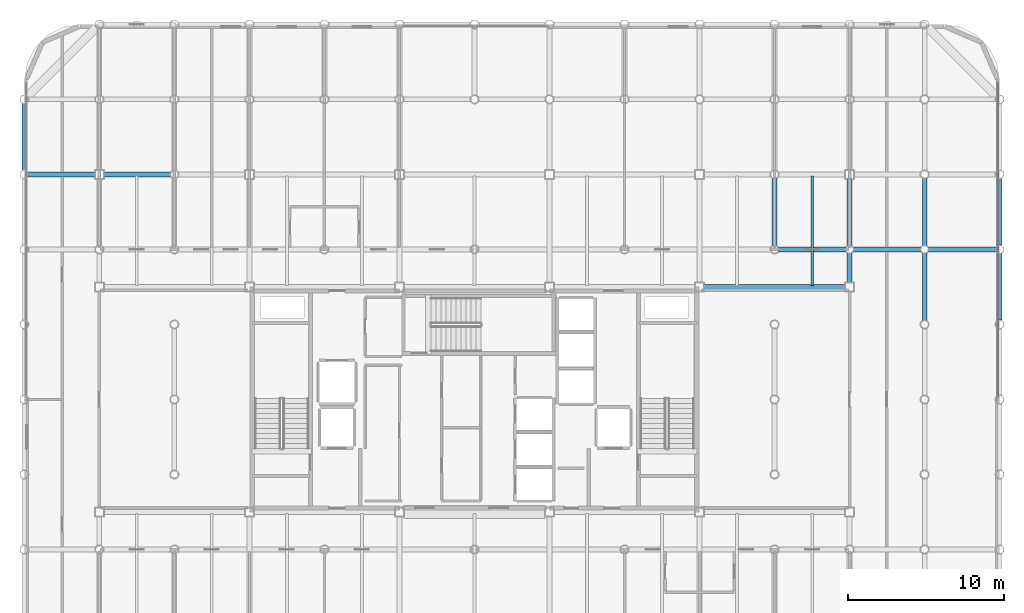
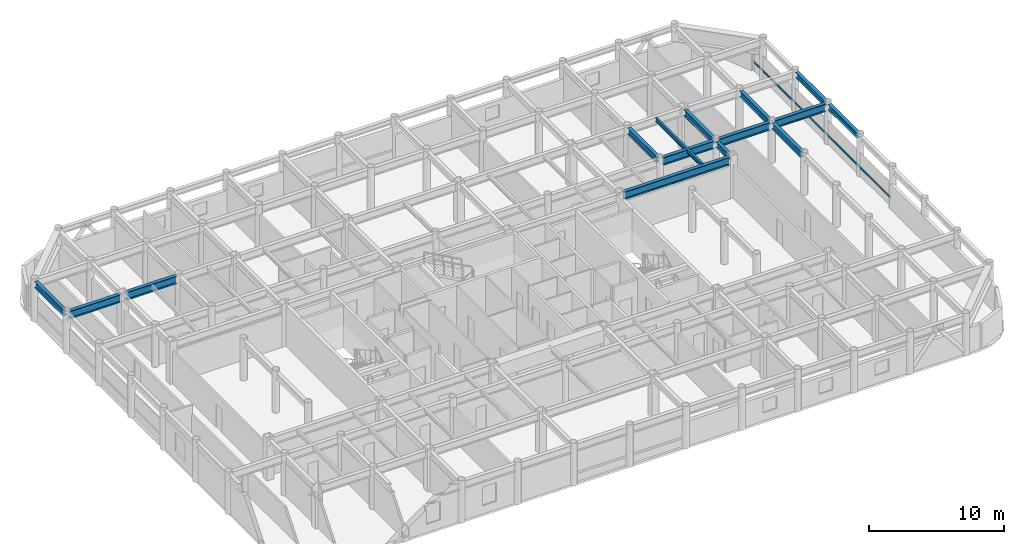
# One storey, part 11 of 22: 15 beams, 1 member, 1 element without a shape of its own.
"""IFC4 building model written with IfcOpenShell, lengths in metres."""

from ifc_helpers import new_model, si_unit, direction, frame, origin, origin_2d, place, context, subcontext, project, spatial, hollow_rectangle, i_section, extrude, material, layer, layer_set, material_profile, profile_set, type_object, element, aggregate, save


model = new_model("IFC4")

# Units and contexts
model_context = context("Model", 3, precision=1e-05, world=origin(), true_north=direction((0.0, 1.0)))
body_context = subcontext(model_context, "Body", "Model", "MODEL_VIEW")
ifc_project = project(units=[si_unit("LENGTHUNIT", "METRE"), si_unit("AREAUNIT", "SQUARE_METRE"), si_unit("VOLUMEUNIT", "CUBIC_METRE"), si_unit("PLANEANGLEUNIT", "RADIAN"), si_unit("MASSUNIT", "GRAM", prefix="KILO")], contexts=[model_context])

# Site, building, storey
site_placement = place(None, origin())
site = spatial("IfcSite", under=ifc_project, at=site_placement, CompositionType="ELEMENT")
building_placement = place(site_placement, origin())
building = spatial("IfcBuilding", under=site, at=building_placement, Name="Kallvorn Hotel Tower", CompositionType="ELEMENT")
storey_placement = place(building_placement, frame((0.0, 0.0, 226.14990234375)))
storey = spatial("IfcBuildingStorey", under=building, at=storey_placement, Name="L56", CompositionType="ELEMENT", Elevation=226.14990234375)

# Beams
ifc_material_1 = material(Name="Structural steel S355JR", Category="steel")
ifc_material_profile_1 = material_profile(ifc_material_1, i_section(OverallWidth=0.300048828125, OverallDepth=0.5, WebThickness=0.014404296875, FlangeThickness=0.028076171875, at=origin_2d()), Name="HE 500 B")
ifc_profile_set_1 = profile_set([ifc_material_profile_1], Name="Structural steel S355JR")
beam_type_1 = type_object("IfcBeamType", Name="BM_HE500B", PredefinedType="SPANDREL", material=ifc_profile_set_1)
beam_1_placement = place(storey_placement, frame((33.60009765625, 5.069580078125, 3.420166015625), z_axis=(0.0, 1.0, 0.0), x_axis=(-1.0, 0.0, 0.0)))
element("IfcBeam", 1, at=beam_1_placement, inside=storey, type_object=beam_type_1, Name="L57 Perimeter Spandrel 186", PredefinedType="SPANDREL", context=body_context, shape_type="SweptSolid", body=[
    extrude(i_section(OverallWidth=0.300048828125, OverallDepth=0.5, WebThickness=0.014404296875, FlangeThickness=0.028076171875, at=origin_2d()), origin(), (0.0, 0.0, 1.0), 4.260986328125),
])
beam_2_placement = place(storey_placement, frame((33.60009765625, 9.869384765625, 3.420166015625), z_axis=(0.0, 1.0, 0.0), x_axis=(-1.0, 0.0, 0.0)))
element("IfcBeam", 2, at=beam_2_placement, inside=storey, type_object=beam_type_1, Name="L57 Perimeter Spandrel 187", PredefinedType="SPANDREL", context=body_context, shape_type="SweptSolid", body=[
    extrude(i_section(OverallWidth=0.300048828125, OverallDepth=0.5, WebThickness=0.014404296875, FlangeThickness=0.028076171875, at=origin_2d()), origin(), (0.0, 0.0, 1.0), 4.26123046875),
])
ifc_material_2 = material(Name="Structural steel S355JR", Category="steel")
ifc_material_profile_2 = material_profile(ifc_material_2, i_section(OverallWidth=0.300048828125, OverallDepth=0.550048828125, WebThickness=0.014892578125, FlangeThickness=0.029052734375, at=origin_2d()), Name="HE 550 B")
ifc_profile_set_2 = profile_set([ifc_material_profile_2], Name="Structural steel S355JR")
beam_type_2 = type_object("IfcBeamType", Name="BM_HE550B", PredefinedType="SPANDREL", material=ifc_profile_set_2)
for number, where, z_axis, x_axis, name in (
    (3, (-28.800048828125, 14.654541015625, 3.39501953125), (0.0, 1.0, 0.0), (-1.0, 0.0, 0.0), "L57 Primary Y-Girder 80"),
    (4, (19.199951171875, 9.8544921875, 3.39501953125), (0.0, 1.0, 0.0), (-1.0, 0.0, 0.0), "L57 Primary Y-Girder 132"),
):
    element("IfcBeam", number, at=place(storey_placement, frame(where, z_axis=z_axis, x_axis=x_axis)), inside=storey, type_object=beam_type_2, Name=name, PredefinedType="SPANDREL", context=body_context, shape_type="SweptSolid", body=[
        extrude(i_section(OverallWidth=0.300048828125, OverallDepth=0.550048828125, WebThickness=0.014892578125, FlangeThickness=0.029052734375, at=origin_2d()), origin(), (0.0, 0.0, 1.0), 4.291015625),
    ])
beam_3_placement = place(storey_placement, frame((24.0, 7.47509765625, 3.39501953125), z_axis=(0.0, 1.0, 0.0), x_axis=(-1.0, 0.0, 0.0)))
element("IfcBeam", 5, at=beam_3_placement, inside=storey, type_object=beam_type_2, Name="L57 Primary Y-Girder 138", PredefinedType="SPANDREL", context=body_context, shape_type="SweptSolid", body=[
    extrude(i_section(OverallWidth=0.300048828125, OverallDepth=0.550048828125, WebThickness=0.014892578125, FlangeThickness=0.029052734375, at=origin_2d()), origin(), (0.0, 0.0, 1.0), 1.870361328125),
])
beam_4_placement = place(storey_placement, frame((24.0, 9.8544921875, 3.39501953125), z_axis=(0.0, 1.0, 0.0), x_axis=(-1.0, 0.0, 0.0)))
element("IfcBeam", 6, at=beam_4_placement, inside=storey, type_object=beam_type_2, Name="L57 Primary Y-Girder 139", PredefinedType="SPANDREL", context=body_context, shape_type="SweptSolid", body=[
    extrude(i_section(OverallWidth=0.300048828125, OverallDepth=0.550048828125, WebThickness=0.014892578125, FlangeThickness=0.029052734375, at=origin_2d()), origin(), (0.0, 0.0, 1.0), 4.2705078125),
])
for number, where, z_axis, x_axis, name in (
    (7, (28.800048828125, 5.054443359375, 3.39501953125), (0.0, 1.0, 0.0), (-1.0, 0.0, 0.0), "L57 Primary Y-Girder 147"),
    (8, (28.800048828125, 9.8544921875, 3.39501953125), (0.0, 1.0, 0.0), (-1.0, 0.0, 0.0), "L57 Primary Y-Girder 148"),
):
    element("IfcBeam", number, at=place(storey_placement, frame(where, z_axis=z_axis, x_axis=x_axis)), inside=storey, type_object=beam_type_2, Name=name, PredefinedType="SPANDREL", context=body_context, shape_type="SweptSolid", body=[
        extrude(i_section(OverallWidth=0.300048828125, OverallDepth=0.550048828125, WebThickness=0.014892578125, FlangeThickness=0.029052734375, at=origin_2d()), origin(), (0.0, 0.0, 1.0), 4.291015625),
    ])
ifc_material_3 = material(Name="Structural steel S355JR", Category="steel")
ifc_material_profile_3 = material_profile(ifc_material_3, i_section(OverallWidth=0.300048828125, OverallDepth=0.699951171875, WebThickness=0.01708984375, FlangeThickness=0.031982421875, at=origin_2d()), Name="HE 700 B")
ifc_profile_set_3 = profile_set([ifc_material_profile_3], Name="Structural steel S355JR")
beam_type_3 = type_object("IfcBeamType", Name="BM_HE700B", PredefinedType="BEAM", material=ifc_profile_set_3)
beam_5_placement = place(storey_placement, frame((14.675048828125, 7.199951171875, 3.320068359375), z_axis=(1.0, 0.0, 0.0), x_axis=(0.0, 1.0, 0.0)))
element("IfcBeam", 9, at=beam_5_placement, inside=storey, type_object=beam_type_3, Name="L57 Primary X-Girder 40", PredefinedType="BEAM", context=body_context, shape_type="SweptSolid", body=[
    extrude(i_section(OverallWidth=0.300048828125, OverallDepth=0.699951171875, WebThickness=0.01708984375, FlangeThickness=0.031982421875, at=origin_2d()), origin(), (0.0, 0.0, 1.0), 9.050048828125),
])
for number, where, z_axis, x_axis, name in (
    (10, (19.45458984375, 9.60009765625, 3.320068359375), (1.0, 0.0, 0.0), (0.0, 1.0, 0.0), "L57 Primary X-Girder 47"),
    (11, (24.25439453125, 9.60009765625, 3.320068359375), (1.0, 0.0, 0.0), (0.0, 1.0, 0.0), "L57 Primary X-Girder 48"),
    (12, (29.054443359375, 9.60009765625, 3.320068359375), (1.0, 0.0, 0.0), (0.0, 1.0, 0.0), "L57 Primary X-Girder 49"),
):
    element("IfcBeam", number, at=place(storey_placement, frame(where, z_axis=z_axis, x_axis=x_axis)), inside=storey, type_object=beam_type_3, Name=name, PredefinedType="BEAM", context=body_context, shape_type="SweptSolid", body=[
        extrude(i_section(OverallWidth=0.300048828125, OverallDepth=0.699951171875, WebThickness=0.01708984375, FlangeThickness=0.031982421875, at=origin_2d()), origin(), (0.0, 0.0, 1.0), 4.291015625),
    ])
for number, where, z_axis, x_axis, name in (
    (13, (-28.54541015625, 14.39990234375, 3.320068359375), (1.0, 0.0, 0.0), (0.0, 1.0, 0.0), "L57 Primary X-Girder 50"),
    (14, (-23.72509765625, 14.39990234375, 3.320068359375), (1.0, 0.0, 0.0), (0.0, 1.0, 0.0), "L57 Primary X-Girder 51"),
):
    element("IfcBeam", number, at=place(storey_placement, frame(where, z_axis=z_axis, x_axis=x_axis)), inside=storey, type_object=beam_type_3, Name=name, PredefinedType="BEAM", context=body_context, shape_type="SweptSolid", body=[
        extrude(i_section(OverallWidth=0.300048828125, OverallDepth=0.699951171875, WebThickness=0.01708984375, FlangeThickness=0.031982421875, at=origin_2d()), origin(), (0.0, 0.0, 1.0), 4.2705078125),
    ])
ifc_material_4 = material(Name="Structural steel S355JR", Category="steel")
ifc_material_profile_4 = material_profile(ifc_material_4, i_section(OverallWidth=0.169921875, OverallDepth=0.360107421875, WebThickness=0.008056640625, FlangeThickness=0.0126953125, at=origin_2d()), Name="IPE 360")
ifc_profile_set_4 = profile_set([ifc_material_profile_4], Name="Structural steel S355JR")
beam_type_4 = type_object("IfcBeamType", Name="BM_IPE360", PredefinedType="JOIST", material=ifc_profile_set_4)
beam_6_placement = place(storey_placement, frame((21.60009765625, 7.300048828125, 3.489990234375), z_axis=(0.0, 1.0, 0.0), x_axis=(-1.0, 0.0, 0.0)))
element("IfcBeam", 15, at=beam_6_placement, inside=storey, type_object=beam_type_4, Name="L57 Secondary Composite Joist 209", PredefinedType="JOIST", context=body_context, shape_type="SweptSolid", body=[
    extrude(i_section(OverallWidth=0.169921875, OverallDepth=0.360107421875, WebThickness=0.008056640625, FlangeThickness=0.0126953125, at=origin_2d()), origin(), (0.0, 0.0, 1.0), 7.0),
])

# Curtain wall, member
ifc_material_5 = material(Name="Thermally broken black-anodised aluminium AA 6063-T6", Category="aluminium")
ifc_layer = layer(ifc_material_5, 0.22998046875)
ifc_layer_set = layer_set([ifc_layer], Name="CW_SYS_5_HOTEL_HIGH")
curtain_wall_type = type_object("IfcCurtainWallType", Name="CW_SYS_5_HOTEL_HIGH", PredefinedType="USERDEFINED", material=ifc_layer_set)
curtain_wall_placement = place(storey_placement, origin())
curtain_wall = element("IfcCurtainWall", 16, at=curtain_wall_placement, inside=storey, type_object=curtain_wall_type, Name="L56 Dark-Glass Curtain Wall CW-L56-EN", ObjectType="UNITISED CURTAIN WALL", PredefinedType="USERDEFINED")
ifc_material_6 = material(Name="Thermally broken black-anodised aluminium AA 6063-T6", Category="aluminium")
ifc_material_profile_5 = material_profile(ifc_material_6, hollow_rectangle(XDim=0.070068359375, YDim=0.179931640625, WallThickness=0.00390625, at=origin_2d()), Name="TRN 180x70")
ifc_profile_set_5 = profile_set([ifc_material_profile_5], Name="Thermally broken black-anodised aluminium AA 6063-T6")
member_type = type_object("IfcMemberType", Name="CW_TRANSOM_180x70", PredefinedType="USERDEFINED", material=ifc_profile_set_5)
member_placement = place(storey_placement, frame((33.47998046875, 0.06005859375, 0.85009765625), z_axis=(0.0, 1.0, 0.0), x_axis=(-1.0, 0.0, 0.0)))
member = element("IfcMember", 17, at=member_placement, type_object=member_type, Name="CW-L56-EN Transom 00M", ObjectType="TRANSOM", PredefinedType="USERDEFINED", context=body_context, shape_type="SweptSolid", body=[
    extrude(hollow_rectangle(XDim=0.070068359375, YDim=0.179931640625, WallThickness=0.00390625, at=origin_2d()), origin(), (0.0, 0.0, 1.0), 20.300048828125),
])
aggregate(curtain_wall, [member])

save(model, "model.ifc")
